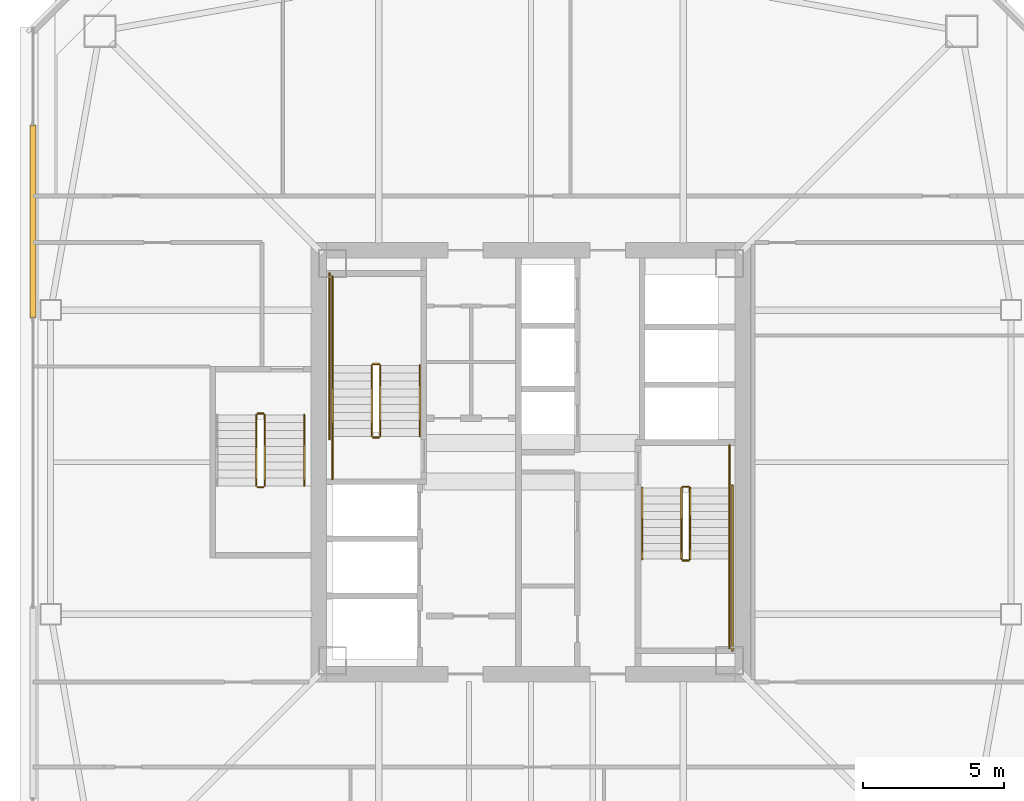
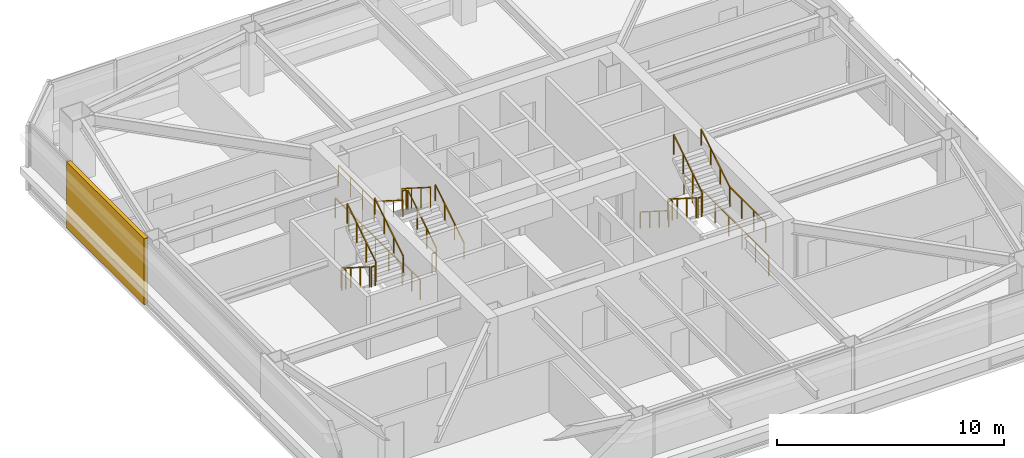
# One storey, part 37 of 41: 23 railings, 1 covering.
"""IFC4 building model written with IfcOpenShell, lengths in metres."""

from ifc_helpers import new_model, si_unit, direction, frame, origin, origin_2d, place, context, subcontext, project, spatial, rectangle, extrude, material, layer, layer_set, type_object, element, save


model = new_model("IFC4")

# Units and contexts
model_context = context("Model", 3, precision=1e-05, world=origin(), true_north=direction((0.0, 1.0)))
body_context = subcontext(model_context, "Body", "Model", "MODEL_VIEW")
ifc_project = project(units=[si_unit("LENGTHUNIT", "METRE"), si_unit("AREAUNIT", "SQUARE_METRE"), si_unit("VOLUMEUNIT", "CUBIC_METRE"), si_unit("PLANEANGLEUNIT", "RADIAN"), si_unit("MASSUNIT", "GRAM", prefix="KILO")], contexts=[model_context])

# Site, building, storey
site_placement = place(None, origin())
site = spatial("IfcSite", under=ifc_project, at=site_placement, CompositionType="ELEMENT")
building_placement = place(site_placement, origin())
building = spatial("IfcBuilding", under=site, at=building_placement, Name="Tashvorn Skyway Center", CompositionType="ELEMENT")
storey_placement = place(building_placement, frame((0.0, 0.0, 174.75)))
storey = spatial("IfcBuildingStorey", under=building, at=storey_placement, Name="L47", CompositionType="ELEMENT", Elevation=174.75)

# Covering
ifc_material_1 = material(Name="Precast concrete C40/50", Category="concrete")
ifc_layer = layer(ifc_material_1, 0.199951171875)
ifc_layer_set = layer_set([ifc_layer], Name="Precast concrete C40/50")
covering_type = type_object("IfcCoveringType", Name="COV-BRACE-CLAD", PredefinedType="CLADDING", material=ifc_layer_set)
covering_placement = place(storey_placement, frame((24.320068359375, 40.54443359375, 0.0), z_axis=(0.0, 0.0, 1.0), x_axis=(0.0, 1.0, 0.0)))
element("IfcCovering", 1, at=covering_placement, inside=storey, type_object=covering_type, Name="Tower 1 L47 West Unitised Curtain Wall Mega-Brace Cladding Band 2", PredefinedType="CLADDING", context=body_context, shape_type="SweptSolid", body=[
    extrude(rectangle(XDim=6.83544921875, YDim=0.199951171875, at=origin_2d()), origin(), (0.0, 0.0, 1.0), 3.550048828125),
])

# Railings
ifc_material_2 = material(Name="Brushed stainless steel 316", Category="steel")
railing_type_1 = type_object("IfcRailingType", Name="RAIL-HAND-920", PredefinedType="HANDRAIL", material=ifc_material_2)
railing_1_placement = place(storey_placement, frame((38.050048828125, 32.919921875, 0.177490234375)))
element("IfcRailing", 2, at=railing_1_placement, inside=storey, type_object=railing_type_1, Name="L47 ST-T1-1 stair handrail 1", PredefinedType="HANDRAIL", context=body_context, shape_type="SweptSolid", body=[
    extrude(rectangle(XDim=0.048095703125, YDim=0.048095703125, at=origin_2d()), frame((0.0, 0.0, 0.8759765625), z_axis=(0.0, 0.84460694969, 0.535386869969), x_axis=(-1.0, 0.0, 0.0)), (0.0, 0.0, 1.0), 2.983642578125),
    extrude(rectangle(XDim=0.0419921875, YDim=0.0419921875, at=origin_2d()), origin(), (0.0, 0.0, 1.0), 0.851806640625),
    extrude(rectangle(XDim=0.0419921875, YDim=0.0419921875, at=origin_2d()), frame((0.0, 0.840087890625, 0.532470703125)), (0.0, 0.0, 1.0), 0.851806640625),
    extrude(rectangle(XDim=0.0419921875, YDim=0.0419921875, at=origin_2d()), frame((0.0, 1.679931640625, 1.06494140625)), (0.0, 0.0, 1.0), 0.851806640625),
    extrude(rectangle(XDim=0.0419921875, YDim=0.0419921875, at=origin_2d()), frame((0.0, 2.52001953125, 1.597412109375)), (0.0, 0.0, 1.0), 0.851806640625),
])
railing_2_placement = place(storey_placement, frame((34.949951171875, 35.43994140625, 1.952392578125)))
element("IfcRailing", 3, at=railing_2_placement, inside=storey, type_object=railing_type_1, Name="L47 ST-T1-1 stair handrail 2", PredefinedType="HANDRAIL", context=body_context, shape_type="SweptSolid", body=[
    extrude(rectangle(XDim=0.048095703125, YDim=0.048095703125, at=origin_2d()), frame((0.0, 0.0, 0.8759765625), z_axis=(0.0, -0.84456994832, 0.535445237532), x_axis=(1.0, 0.0, 0.0)), (0.0, 0.0, 1.0), 2.98388671875),
    extrude(rectangle(XDim=0.0419921875, YDim=0.0419921875, at=origin_2d()), origin(), (0.0, 0.0, 1.0), 0.851806640625),
    extrude(rectangle(XDim=0.0419921875, YDim=0.0419921875, at=origin_2d()), frame((0.0, -0.840087890625, 0.532470703125)), (0.0, 0.0, 1.0), 0.851806640625),
    extrude(rectangle(XDim=0.0419921875, YDim=0.0419921875, at=origin_2d()), frame((0.0, -1.679931640625, 1.065185546875)), (0.0, 0.0, 1.0), 0.851806640625),
    extrude(rectangle(XDim=0.0419921875, YDim=0.0419921875, at=origin_2d()), frame((0.0, -2.52001953125, 1.59765625)), (0.0, 0.0, 1.0), 0.851806640625),
])
railing_3_placement = place(storey_placement, frame((45.949951171875, 31.080078125, 0.177490234375)))
element("IfcRailing", 4, at=railing_3_placement, inside=storey, type_object=railing_type_1, Name="L47 ST-T1-2 stair handrail 1", PredefinedType="HANDRAIL", context=body_context, shape_type="SweptSolid", body=[
    extrude(rectangle(XDim=0.048095703125, YDim=0.048095703125, at=origin_2d()), frame((0.0, 0.0, 0.8759765625), z_axis=(0.0, -0.84460694969, 0.535386869969), x_axis=(1.0, 0.0, 0.0)), (0.0, 0.0, 1.0), 2.983642578125),
    extrude(rectangle(XDim=0.0419921875, YDim=0.0419921875, at=origin_2d()), origin(), (0.0, 0.0, 1.0), 0.851806640625),
    extrude(rectangle(XDim=0.0419921875, YDim=0.0419921875, at=origin_2d()), frame((0.0, -0.840087890625, 0.532470703125)), (0.0, 0.0, 1.0), 0.851806640625),
    extrude(rectangle(XDim=0.0419921875, YDim=0.0419921875, at=origin_2d()), frame((0.0, -1.679931640625, 1.06494140625)), (0.0, 0.0, 1.0), 0.851806640625),
    extrude(rectangle(XDim=0.0419921875, YDim=0.0419921875, at=origin_2d()), frame((0.0, -2.52001953125, 1.597412109375)), (0.0, 0.0, 1.0), 0.851806640625),
])
for number, where, name in (
    (5, (49.050048828125, 28.56005859375, 1.952392578125), "L47 ST-T1-2 stair handrail 2"),
    (6, (33.949951171875, 31.159912109375, 1.952392578125), "L47 ST-T1-3 stair handrail 2"),
):
    element("IfcRailing", number, at=place(storey_placement, frame(where)), inside=storey, type_object=railing_type_1, Name=name, PredefinedType="HANDRAIL", context=body_context, shape_type="SweptSolid", body=[
        extrude(rectangle(XDim=0.048095703125, YDim=0.048095703125, at=origin_2d()), frame((0.0, 0.0, 0.8759765625), z_axis=(0.0, 0.84456994832, 0.535445237532), x_axis=(-1.0, 0.0, 0.0)), (0.0, 0.0, 1.0), 2.98388671875),
        extrude(rectangle(XDim=0.0419921875, YDim=0.0419921875, at=origin_2d()), origin(), (0.0, 0.0, 1.0), 0.851806640625),
        extrude(rectangle(XDim=0.0419921875, YDim=0.0419921875, at=origin_2d()), frame((0.0, 0.840087890625, 0.532470703125)), (0.0, 0.0, 1.0), 0.851806640625),
        extrude(rectangle(XDim=0.0419921875, YDim=0.0419921875, at=origin_2d()), frame((0.0, 1.679931640625, 1.065185546875)), (0.0, 0.0, 1.0), 0.851806640625),
        extrude(rectangle(XDim=0.0419921875, YDim=0.0419921875, at=origin_2d()), frame((0.0, 2.52001953125, 1.59765625)), (0.0, 0.0, 1.0), 0.851806640625),
    ])
ifc_material_3 = material(Name="Painted galvanized steel S355", Category="steel")
railing_type_2 = type_object("IfcRailingType", Name="RAIL-STGUARD-1100", PredefinedType="GUARDRAIL", material=ifc_material_3)
railing_4_placement = place(storey_placement, frame((36.64990234375, 32.919921875, 0.177490234375)))
element("IfcRailing", 7, at=railing_4_placement, inside=storey, type_object=railing_type_2, Name="L47 ST-T1-1 stair guard 1", PredefinedType="GUARDRAIL", context=body_context, shape_type="SweptSolid", body=[
    extrude(rectangle(XDim=0.048095703125, YDim=0.048095703125, at=origin_2d()), frame((0.0, 0.0, 1.076171875), z_axis=(0.0, 0.84460694969, 0.535386869969), x_axis=(-1.0, 0.0, 0.0)), (0.0, 0.0, 1.0), 2.983642578125),
    extrude(rectangle(XDim=0.0419921875, YDim=0.0419921875, at=origin_2d()), origin(), (0.0, 0.0, 1.0), 1.052001953125),
    extrude(rectangle(XDim=0.0419921875, YDim=0.0419921875, at=origin_2d()), frame((0.0, 0.840087890625, 0.532470703125)), (0.0, 0.0, 1.0), 1.052001953125),
    extrude(rectangle(XDim=0.0419921875, YDim=0.0419921875, at=origin_2d()), frame((0.0, 1.679931640625, 1.06494140625)), (0.0, 0.0, 1.0), 1.052001953125),
    extrude(rectangle(XDim=0.0419921875, YDim=0.0419921875, at=origin_2d()), frame((0.0, 2.52001953125, 1.597412109375)), (0.0, 0.0, 1.0), 1.052001953125),
])
railing_5_placement = place(storey_placement, frame((36.60009765625, 35.489990234375, 1.77490234375)))
element("IfcRailing", 8, at=railing_5_placement, inside=storey, type_object=railing_type_2, Name="L47 ST-T1-1 stair guard 2", PredefinedType="GUARDRAIL", context=body_context, shape_type="SweptSolid", body=[
    extrude(rectangle(XDim=0.048095703125, YDim=0.048095703125, at=origin_2d()), frame((0.0, 0.0, 1.076171875), z_axis=(-1.0, 0.0, 0.0), x_axis=(0.0, -1.0, 0.0)), (0.0, 0.0, 1.0), 0.2001953125),
    extrude(rectangle(XDim=0.0419921875, YDim=0.0419921875, at=origin_2d()), origin(), (0.0, 0.0, 1.0), 1.052001953125),
    extrude(rectangle(XDim=0.0419921875, YDim=0.0419921875, at=origin_2d()), frame((-0.2001953125, 0.0, 0.0)), (0.0, 0.0, 1.0), 1.052001953125),
])
railing_6_placement = place(storey_placement, frame((34.949951171875, 35.43994140625, 1.77490234375)))
element("IfcRailing", 9, at=railing_6_placement, inside=storey, type_object=railing_type_2, Name="L47 ST-T1-1 stair guard 3", PredefinedType="GUARDRAIL", context=body_context, shape_type="SweptSolid", body=[
    extrude(rectangle(XDim=0.048095703125, YDim=0.048095703125, at=origin_2d()), frame((0.0, 0.0, 1.076171875), z_axis=(0.0, 1.0, 0.0), x_axis=(-1.0, 0.0, 0.0)), (0.0, 0.0, 1.0), 3.16015625),
    extrude(rectangle(XDim=0.0419921875, YDim=0.0419921875, at=origin_2d()), origin(), (0.0, 0.0, 1.0), 1.052001953125),
    extrude(rectangle(XDim=0.0419921875, YDim=0.0419921875, at=origin_2d()), frame((0.0, 1.053466796875, 0.0)), (0.0, 0.0, 1.0), 1.052001953125),
    extrude(rectangle(XDim=0.0419921875, YDim=0.0419921875, at=origin_2d()), frame((0.0, 2.106689453125, 0.0)), (0.0, 0.0, 1.0), 1.052001953125),
    extrude(rectangle(XDim=0.0419921875, YDim=0.0419921875, at=origin_2d()), frame((0.0, 3.16015625, 0.0)), (0.0, 0.0, 1.0), 1.052001953125),
])
railing_7_placement = place(storey_placement, frame((36.35009765625, 35.43994140625, 1.952392578125)))
element("IfcRailing", 10, at=railing_7_placement, inside=storey, type_object=railing_type_2, Name="L47 ST-T1-1 stair guard 4", PredefinedType="GUARDRAIL", context=body_context, shape_type="SweptSolid", body=[
    extrude(rectangle(XDim=0.048095703125, YDim=0.048095703125, at=origin_2d()), frame((0.0, 0.0, 1.076171875), z_axis=(0.0, -0.84456994832, 0.535445237532), x_axis=(1.0, 0.0, 0.0)), (0.0, 0.0, 1.0), 2.98388671875),
    extrude(rectangle(XDim=0.0419921875, YDim=0.0419921875, at=origin_2d()), origin(), (0.0, 0.0, 1.0), 1.052001953125),
    extrude(rectangle(XDim=0.0419921875, YDim=0.0419921875, at=origin_2d()), frame((0.0, -0.840087890625, 0.532470703125)), (0.0, 0.0, 1.0), 1.052001953125),
    extrude(rectangle(XDim=0.0419921875, YDim=0.0419921875, at=origin_2d()), frame((0.0, -1.679931640625, 1.065185546875)), (0.0, 0.0, 1.0), 1.052001953125),
    extrude(rectangle(XDim=0.0419921875, YDim=0.0419921875, at=origin_2d()), frame((0.0, -2.52001953125, 1.59765625)), (0.0, 0.0, 1.0), 1.052001953125),
])
railing_8_placement = place(storey_placement, frame((36.60009765625, 32.8701171875, 0.0)))
element("IfcRailing", 11, at=railing_8_placement, inside=storey, type_object=railing_type_2, Name="L47 ST-T1-1 stair guard 5", PredefinedType="GUARDRAIL", context=body_context, shape_type="SweptSolid", body=[
    extrude(rectangle(XDim=0.048095703125, YDim=0.048095703125, at=origin_2d()), frame((0.0, 0.0, 1.076171875), z_axis=(-1.0, 0.0, 0.0), x_axis=(0.0, -1.0, 0.0)), (0.0, 0.0, 1.0), 0.2001953125),
    extrude(rectangle(XDim=0.0419921875, YDim=0.0419921875, at=origin_2d()), origin(), (0.0, 0.0, 1.0), 1.052001953125),
    extrude(rectangle(XDim=0.0419921875, YDim=0.0419921875, at=origin_2d()), frame((-0.2001953125, 0.0, 0.0)), (0.0, 0.0, 1.0), 1.052001953125),
])
railing_9_placement = place(storey_placement, frame((34.949951171875, 31.39990234375, 0.0)))
element("IfcRailing", 12, at=railing_9_placement, inside=storey, type_object=railing_type_2, Name="L47 ST-T1-1 stair guard 6", PredefinedType="GUARDRAIL", context=body_context, shape_type="SweptSolid", body=[
    extrude(rectangle(XDim=0.048095703125, YDim=0.048095703125, at=origin_2d()), frame((0.0, 0.0, 1.076171875), z_axis=(0.0, 1.0, 0.0), x_axis=(-1.0, 0.0, 0.0)), (0.0, 0.0, 1.0), 1.52001953125),
    extrude(rectangle(XDim=0.0419921875, YDim=0.0419921875, at=origin_2d()), origin(), (0.0, 0.0, 1.0), 1.052001953125),
    extrude(rectangle(XDim=0.0419921875, YDim=0.0419921875, at=origin_2d()), frame((0.0, 0.760009765625, 0.0)), (0.0, 0.0, 1.0), 1.052001953125),
    extrude(rectangle(XDim=0.0419921875, YDim=0.0419921875, at=origin_2d()), frame((0.0, 1.52001953125, 0.0)), (0.0, 0.0, 1.0), 1.052001953125),
])
railing_10_placement = place(storey_placement, frame((34.85009765625, 32.820068359375, 0.0)))
element("IfcRailing", 13, at=railing_10_placement, inside=storey, type_object=railing_type_2, Name="L47 ST-T1-1 stair guard 7", PredefinedType="GUARDRAIL", context=body_context, shape_type="SweptSolid", body=[
    extrude(rectangle(XDim=0.048095703125, YDim=0.048095703125, at=origin_2d()), frame((0.0, 0.0, 1.076171875), z_axis=(0.0, 1.0, 0.0), x_axis=(-1.0, 0.0, 0.0)), (0.0, 0.0, 1.0), 5.8798828125),
    extrude(rectangle(XDim=0.0419921875, YDim=0.0419921875, at=origin_2d()), origin(), (0.0, 0.0, 1.0), 1.052001953125),
    extrude(rectangle(XDim=0.0419921875, YDim=0.0419921875, at=origin_2d()), frame((0.0, 1.176025390625, 0.0)), (0.0, 0.0, 1.0), 1.052001953125),
    extrude(rectangle(XDim=0.0419921875, YDim=0.0419921875, at=origin_2d()), frame((0.0, 2.35205078125, 0.0)), (0.0, 0.0, 1.0), 1.052001953125),
    extrude(rectangle(XDim=0.0419921875, YDim=0.0419921875, at=origin_2d()), frame((0.0, 3.52783203125, 0.0)), (0.0, 0.0, 1.0), 1.052001953125),
    extrude(rectangle(XDim=0.0419921875, YDim=0.0419921875, at=origin_2d()), frame((0.0, 4.703857421875, 0.0)), (0.0, 0.0, 1.0), 1.052001953125),
    extrude(rectangle(XDim=0.0419921875, YDim=0.0419921875, at=origin_2d()), frame((0.0, 5.8798828125, 0.0)), (0.0, 0.0, 1.0), 1.052001953125),
])
railing_11_placement = place(storey_placement, frame((47.35009765625, 31.080078125, 0.177490234375)))
element("IfcRailing", 14, at=railing_11_placement, inside=storey, type_object=railing_type_2, Name="L47 ST-T1-2 stair guard 1", PredefinedType="GUARDRAIL", context=body_context, shape_type="SweptSolid", body=[
    extrude(rectangle(XDim=0.048095703125, YDim=0.048095703125, at=origin_2d()), frame((0.0, 0.0, 1.076171875), z_axis=(0.0, -0.84460694969, 0.535386869969), x_axis=(1.0, 0.0, 0.0)), (0.0, 0.0, 1.0), 2.983642578125),
    extrude(rectangle(XDim=0.0419921875, YDim=0.0419921875, at=origin_2d()), origin(), (0.0, 0.0, 1.0), 1.052001953125),
    extrude(rectangle(XDim=0.0419921875, YDim=0.0419921875, at=origin_2d()), frame((0.0, -0.840087890625, 0.532470703125)), (0.0, 0.0, 1.0), 1.052001953125),
    extrude(rectangle(XDim=0.0419921875, YDim=0.0419921875, at=origin_2d()), frame((0.0, -1.679931640625, 1.06494140625)), (0.0, 0.0, 1.0), 1.052001953125),
    extrude(rectangle(XDim=0.0419921875, YDim=0.0419921875, at=origin_2d()), frame((0.0, -2.52001953125, 1.597412109375)), (0.0, 0.0, 1.0), 1.052001953125),
])
railing_12_placement = place(storey_placement, frame((47.39990234375, 28.510009765625, 1.77490234375)))
element("IfcRailing", 15, at=railing_12_placement, inside=storey, type_object=railing_type_2, Name="L47 ST-T1-2 stair guard 2", PredefinedType="GUARDRAIL", context=body_context, shape_type="SweptSolid", body=[
    extrude(rectangle(XDim=0.048095703125, YDim=0.048095703125, at=origin_2d()), frame((0.0, 0.0, 1.076171875), z_axis=(1.0, 0.0, 0.0), x_axis=(0.0, 1.0, 0.0)), (0.0, 0.0, 1.0), 0.2001953125),
    extrude(rectangle(XDim=0.0419921875, YDim=0.0419921875, at=origin_2d()), origin(), (0.0, 0.0, 1.0), 1.052001953125),
    extrude(rectangle(XDim=0.0419921875, YDim=0.0419921875, at=origin_2d()), frame((0.2001953125, 0.0, 0.0)), (0.0, 0.0, 1.0), 1.052001953125),
])
railing_13_placement = place(storey_placement, frame((49.050048828125, 28.56005859375, 1.77490234375)))
element("IfcRailing", 16, at=railing_13_placement, inside=storey, type_object=railing_type_2, Name="L47 ST-T1-2 stair guard 3", PredefinedType="GUARDRAIL", context=body_context, shape_type="SweptSolid", body=[
    extrude(rectangle(XDim=0.048095703125, YDim=0.048095703125, at=origin_2d()), frame((0.0, 0.0, 1.076171875), z_axis=(0.0, -1.0, 0.0), x_axis=(1.0, 0.0, 0.0)), (0.0, 0.0, 1.0), 3.16015625),
    extrude(rectangle(XDim=0.0419921875, YDim=0.0419921875, at=origin_2d()), origin(), (0.0, 0.0, 1.0), 1.052001953125),
    extrude(rectangle(XDim=0.0419921875, YDim=0.0419921875, at=origin_2d()), frame((0.0, -1.053466796875, 0.0)), (0.0, 0.0, 1.0), 1.052001953125),
    extrude(rectangle(XDim=0.0419921875, YDim=0.0419921875, at=origin_2d()), frame((0.0, -2.106689453125, 0.0)), (0.0, 0.0, 1.0), 1.052001953125),
    extrude(rectangle(XDim=0.0419921875, YDim=0.0419921875, at=origin_2d()), frame((0.0, -3.16015625, 0.0)), (0.0, 0.0, 1.0), 1.052001953125),
])
railing_14_placement = place(storey_placement, frame((47.64990234375, 28.56005859375, 1.952392578125)))
element("IfcRailing", 17, at=railing_14_placement, inside=storey, type_object=railing_type_2, Name="L47 ST-T1-2 stair guard 4", PredefinedType="GUARDRAIL", context=body_context, shape_type="SweptSolid", body=[
    extrude(rectangle(XDim=0.048095703125, YDim=0.048095703125, at=origin_2d()), frame((0.0, 0.0, 1.076171875), z_axis=(0.0, 0.84456994832, 0.535445237532), x_axis=(-1.0, 0.0, 0.0)), (0.0, 0.0, 1.0), 2.98388671875),
    extrude(rectangle(XDim=0.0419921875, YDim=0.0419921875, at=origin_2d()), origin(), (0.0, 0.0, 1.0), 1.052001953125),
    extrude(rectangle(XDim=0.0419921875, YDim=0.0419921875, at=origin_2d()), frame((0.0, 0.840087890625, 0.532470703125)), (0.0, 0.0, 1.0), 1.052001953125),
    extrude(rectangle(XDim=0.0419921875, YDim=0.0419921875, at=origin_2d()), frame((0.0, 1.679931640625, 1.065185546875)), (0.0, 0.0, 1.0), 1.052001953125),
    extrude(rectangle(XDim=0.0419921875, YDim=0.0419921875, at=origin_2d()), frame((0.0, 2.52001953125, 1.59765625)), (0.0, 0.0, 1.0), 1.052001953125),
])
railing_15_placement = place(storey_placement, frame((47.39990234375, 31.1298828125, 0.0)))
element("IfcRailing", 18, at=railing_15_placement, inside=storey, type_object=railing_type_2, Name="L47 ST-T1-2 stair guard 5", PredefinedType="GUARDRAIL", context=body_context, shape_type="SweptSolid", body=[
    extrude(rectangle(XDim=0.048095703125, YDim=0.048095703125, at=origin_2d()), frame((0.0, 0.0, 1.076171875), z_axis=(1.0, 0.0, 0.0), x_axis=(0.0, 1.0, 0.0)), (0.0, 0.0, 1.0), 0.2001953125),
    extrude(rectangle(XDim=0.0419921875, YDim=0.0419921875, at=origin_2d()), origin(), (0.0, 0.0, 1.0), 1.052001953125),
    extrude(rectangle(XDim=0.0419921875, YDim=0.0419921875, at=origin_2d()), frame((0.2001953125, 0.0, 0.0)), (0.0, 0.0, 1.0), 1.052001953125),
])
railing_16_placement = place(storey_placement, frame((49.050048828125, 32.60009765625, 0.0)))
element("IfcRailing", 19, at=railing_16_placement, inside=storey, type_object=railing_type_2, Name="L47 ST-T1-2 stair guard 6", PredefinedType="GUARDRAIL", context=body_context, shape_type="SweptSolid", body=[
    extrude(rectangle(XDim=0.048095703125, YDim=0.048095703125, at=origin_2d()), frame((0.0, 0.0, 1.076171875), z_axis=(0.0, -1.0, 0.0), x_axis=(1.0, 0.0, 0.0)), (0.0, 0.0, 1.0), 1.52001953125),
    extrude(rectangle(XDim=0.0419921875, YDim=0.0419921875, at=origin_2d()), origin(), (0.0, 0.0, 1.0), 1.052001953125),
    extrude(rectangle(XDim=0.0419921875, YDim=0.0419921875, at=origin_2d()), frame((0.0, -0.760009765625, 0.0)), (0.0, 0.0, 1.0), 1.052001953125),
    extrude(rectangle(XDim=0.0419921875, YDim=0.0419921875, at=origin_2d()), frame((0.0, -1.52001953125, 0.0)), (0.0, 0.0, 1.0), 1.052001953125),
])
railing_17_placement = place(storey_placement, frame((49.14990234375, 31.179931640625, 0.0)))
element("IfcRailing", 20, at=railing_17_placement, inside=storey, type_object=railing_type_2, Name="L47 ST-T1-2 stair guard 7", PredefinedType="GUARDRAIL", context=body_context, shape_type="SweptSolid", body=[
    extrude(rectangle(XDim=0.048095703125, YDim=0.048095703125, at=origin_2d()), frame((0.0, 0.0, 1.076171875), z_axis=(0.0, -1.0, 0.0), x_axis=(1.0, 0.0, 0.0)), (0.0, 0.0, 1.0), 5.8798828125),
    extrude(rectangle(XDim=0.0419921875, YDim=0.0419921875, at=origin_2d()), origin(), (0.0, 0.0, 1.0), 1.052001953125),
    extrude(rectangle(XDim=0.0419921875, YDim=0.0419921875, at=origin_2d()), frame((0.0, -1.176025390625, 0.0)), (0.0, 0.0, 1.0), 1.052001953125),
    extrude(rectangle(XDim=0.0419921875, YDim=0.0419921875, at=origin_2d()), frame((0.0, -2.35205078125, 0.0)), (0.0, 0.0, 1.0), 1.052001953125),
    extrude(rectangle(XDim=0.0419921875, YDim=0.0419921875, at=origin_2d()), frame((0.0, -3.52783203125, 0.0)), (0.0, 0.0, 1.0), 1.052001953125),
    extrude(rectangle(XDim=0.0419921875, YDim=0.0419921875, at=origin_2d()), frame((0.0, -4.703857421875, 0.0)), (0.0, 0.0, 1.0), 1.052001953125),
    extrude(rectangle(XDim=0.0419921875, YDim=0.0419921875, at=origin_2d()), frame((0.0, -5.8798828125, 0.0)), (0.0, 0.0, 1.0), 1.052001953125),
])
railing_18_placement = place(storey_placement, frame((32.25, 33.679931640625, 0.177490234375)))
element("IfcRailing", 21, at=railing_18_placement, inside=storey, type_object=railing_type_2, Name="L47 ST-T1-3 stair guard 1", PredefinedType="GUARDRAIL", context=body_context, shape_type="SweptSolid", body=[
    extrude(rectangle(XDim=0.048095703125, YDim=0.048095703125, at=origin_2d()), frame((0.0, 0.0, 1.076171875), z_axis=(0.0, -0.84460694969, 0.535386869969), x_axis=(1.0, 0.0, 0.0)), (0.0, 0.0, 1.0), 2.983642578125),
    extrude(rectangle(XDim=0.0419921875, YDim=0.0419921875, at=origin_2d()), origin(), (0.0, 0.0, 1.0), 1.052001953125),
    extrude(rectangle(XDim=0.0419921875, YDim=0.0419921875, at=origin_2d()), frame((0.0, -0.840087890625, 0.532470703125)), (0.0, 0.0, 1.0), 1.052001953125),
    extrude(rectangle(XDim=0.0419921875, YDim=0.0419921875, at=origin_2d()), frame((0.0, -1.679931640625, 1.06494140625)), (0.0, 0.0, 1.0), 1.052001953125),
    extrude(rectangle(XDim=0.0419921875, YDim=0.0419921875, at=origin_2d()), frame((0.0, -2.52001953125, 1.597412109375)), (0.0, 0.0, 1.0), 1.052001953125),
])
railing_19_placement = place(storey_placement, frame((32.300048828125, 31.110107421875, 1.77490234375)))
element("IfcRailing", 22, at=railing_19_placement, inside=storey, type_object=railing_type_2, Name="L47 ST-T1-3 stair guard 2", PredefinedType="GUARDRAIL", context=body_context, shape_type="SweptSolid", body=[
    extrude(rectangle(XDim=0.048095703125, YDim=0.048095703125, at=origin_2d()), frame((0.0, 0.0, 1.076171875), z_axis=(1.0, 0.0, 0.0), x_axis=(0.0, 1.0, 0.0)), (0.0, 0.0, 1.0), 0.199951171875),
    extrude(rectangle(XDim=0.0419921875, YDim=0.0419921875, at=origin_2d()), origin(), (0.0, 0.0, 1.0), 1.052001953125),
    extrude(rectangle(XDim=0.0419921875, YDim=0.0419921875, at=origin_2d()), frame((0.199951171875, 0.0, 0.0)), (0.0, 0.0, 1.0), 1.052001953125),
])
railing_20_placement = place(storey_placement, frame((32.550048828125, 31.159912109375, 1.952392578125)))
element("IfcRailing", 23, at=railing_20_placement, inside=storey, type_object=railing_type_2, Name="L47 ST-T1-3 stair guard 3", PredefinedType="GUARDRAIL", context=body_context, shape_type="SweptSolid", body=[
    extrude(rectangle(XDim=0.048095703125, YDim=0.048095703125, at=origin_2d()), frame((0.0, 0.0, 1.076171875), z_axis=(0.0, 0.84456994832, 0.535445237532), x_axis=(-1.0, 0.0, 0.0)), (0.0, 0.0, 1.0), 2.98388671875),
    extrude(rectangle(XDim=0.0419921875, YDim=0.0419921875, at=origin_2d()), origin(), (0.0, 0.0, 1.0), 1.052001953125),
    extrude(rectangle(XDim=0.0419921875, YDim=0.0419921875, at=origin_2d()), frame((0.0, 0.840087890625, 0.532470703125)), (0.0, 0.0, 1.0), 1.052001953125),
    extrude(rectangle(XDim=0.0419921875, YDim=0.0419921875, at=origin_2d()), frame((0.0, 1.679931640625, 1.065185546875)), (0.0, 0.0, 1.0), 1.052001953125),
    extrude(rectangle(XDim=0.0419921875, YDim=0.0419921875, at=origin_2d()), frame((0.0, 2.52001953125, 1.59765625)), (0.0, 0.0, 1.0), 1.052001953125),
])
railing_21_placement = place(storey_placement, frame((32.300048828125, 33.72998046875, 0.0)))
element("IfcRailing", 24, at=railing_21_placement, inside=storey, type_object=railing_type_2, Name="L47 ST-T1-3 stair guard 4", PredefinedType="GUARDRAIL", context=body_context, shape_type="SweptSolid", body=[
    extrude(rectangle(XDim=0.048095703125, YDim=0.048095703125, at=origin_2d()), frame((0.0, 0.0, 1.076171875), z_axis=(1.0, 0.0, 0.0), x_axis=(0.0, 1.0, 0.0)), (0.0, 0.0, 1.0), 0.199951171875),
    extrude(rectangle(XDim=0.0419921875, YDim=0.0419921875, at=origin_2d()), origin(), (0.0, 0.0, 1.0), 1.052001953125),
    extrude(rectangle(XDim=0.0419921875, YDim=0.0419921875, at=origin_2d()), frame((0.199951171875, 0.0, 0.0)), (0.0, 0.0, 1.0), 1.052001953125),
])

save(model, "model.ifc")
